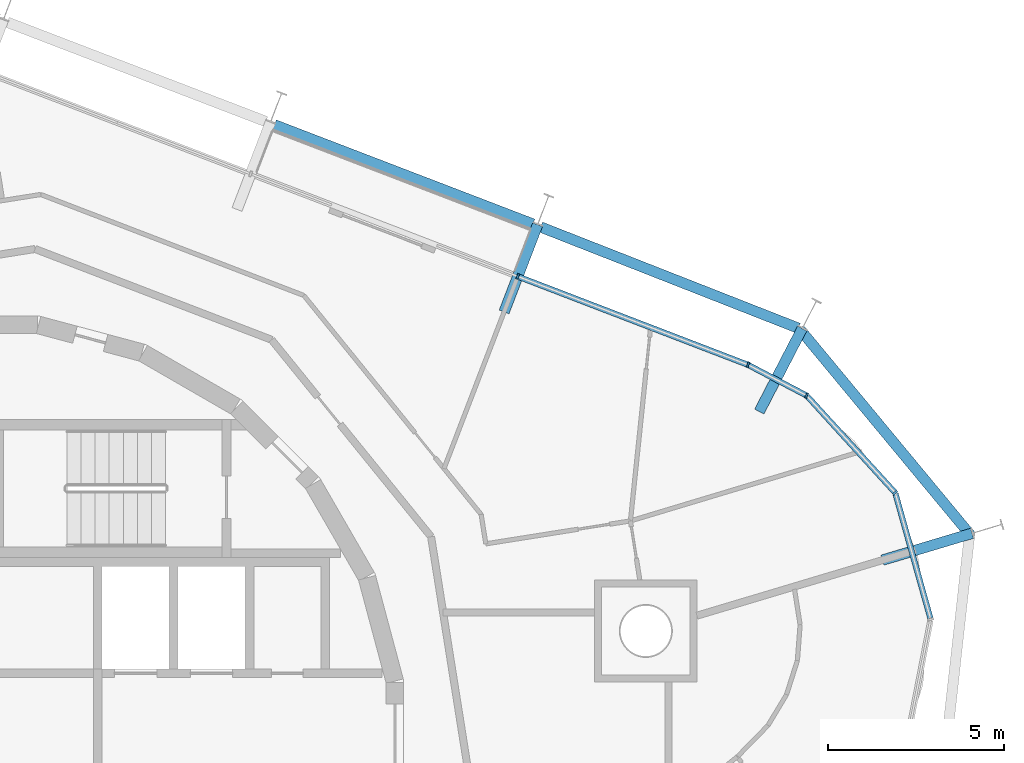
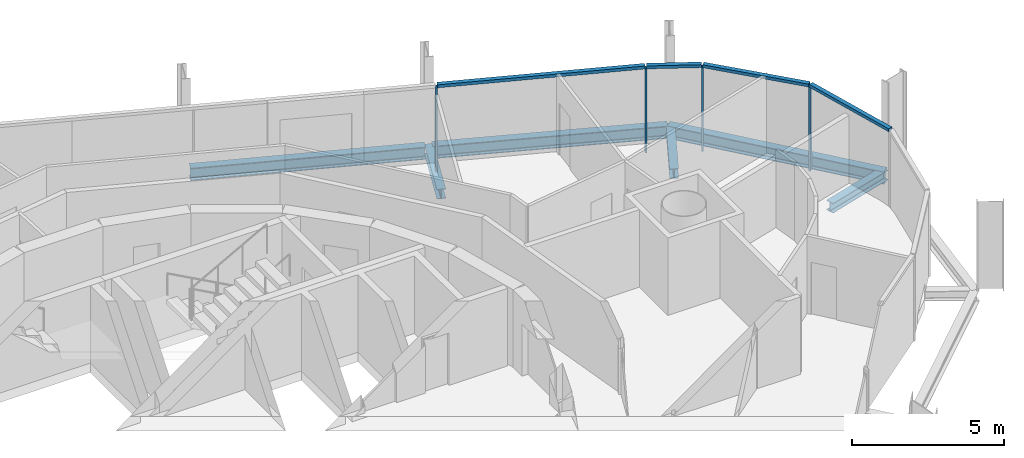
# One storey, part 9 of 18: 8 members, 6 beams, 2 elements without a shape of their own.
"""IFC4 building model written with IfcOpenShell, lengths in metres."""

from ifc_helpers import new_model, si_unit, direction, frame, origin, origin_2d, place, context, subcontext, project, spatial, rectangle, i_section, extrude, material, layer, layer_set, material_profile, profile_set, type_object, element, aggregate, save


model = new_model("IFC4")

# Units and contexts
model_context = context("Model", 3, precision=1e-05, world=origin(), true_north=direction((0.0, 1.0)))
body_context = subcontext(model_context, "Body", "Model", "MODEL_VIEW")
ifc_project = project(units=[si_unit("LENGTHUNIT", "METRE"), si_unit("AREAUNIT", "SQUARE_METRE"), si_unit("VOLUMEUNIT", "CUBIC_METRE"), si_unit("PLANEANGLEUNIT", "RADIAN"), si_unit("MASSUNIT", "GRAM", prefix="KILO")], contexts=[model_context])

# Site, building, storey
site_placement = place(None, origin())
site = spatial("IfcSite", under=ifc_project, at=site_placement, CompositionType="ELEMENT")
building_placement = place(site_placement, origin())
building = spatial("IfcBuilding", under=site, at=building_placement, Name="Spindle Arch Residences", CompositionType="ELEMENT")
storey_placement = place(building_placement, frame((0.0, 0.0, 273.89990234375)))
storey = spatial("IfcBuildingStorey", under=building, at=storey_placement, Name="L70", CompositionType="ELEMENT", Elevation=273.89990234375)

# Curtain wall, members
ifc_material_1 = material(Name="Aluminium bronze unitised frame with tinted glass", Category="aluminium")
ifc_layer_1 = layer(ifc_material_1, 0.159912109375)
ifc_layer_set_1 = layer_set([ifc_layer_1], Name="CW-D corner wall on the fillet arcs")
curtain_wall_type_1 = type_object("IfcCurtainWallType", Name="CW-D corner wall on the fillet arcs", PredefinedType="NOTDEFINED", material=ifc_layer_set_1)
curtain_wall_1_placement = place(storey_placement, origin())
curtain_wall_1 = element("IfcCurtainWall", 1, at=curtain_wall_1_placement, inside=storey, type_object=curtain_wall_type_1, Name="CW-D L70 run 1", PredefinedType="NOTDEFINED")
ifc_material_2 = material(Name="Aluminium bronze anodised mullion", Category="aluminium")
ifc_material_profile_1 = material_profile(ifc_material_2, rectangle(XDim=0.159912109375, YDim=0.06005859375, at=origin_2d()), Name="MU 60x160")
ifc_profile_set_1 = profile_set([ifc_material_profile_1], Name="Aluminium bronze anodised mullion")
member_type_1 = type_object("IfcMemberType", Name="Bronze mullion 60x160", PredefinedType="MULLION", material=ifc_profile_set_1)
member_1_placement = place(storey_placement, frame((25.826171875, 6.888427734375, -0.3798828125), z_axis=(0.0, 0.0, 1.0), x_axis=(-0.73923942464, -0.673442702134, 0.0)))
member_1 = element("IfcMember", 2, at=member_1_placement, type_object=member_type_1, Name="CW-D mullion 04", PredefinedType="MULLION", context=body_context, shape_type="SweptSolid", body=[
    extrude(rectangle(XDim=0.159912109375, YDim=0.06005859375, at=origin_2d()), origin(), (0.0, 0.0, 1.0), 3.3798828125),
])
member_2_placement = place(storey_placement, frame((23.316650390625, 9.643310546875, -0.3798828125), z_axis=(0.0, 0.0, 1.0), x_axis=(-0.464326860783, -0.885663912754, 0.0)))
member_2 = element("IfcMember", 3, at=member_2_placement, type_object=member_type_1, Name="CW-D mullion 05", PredefinedType="MULLION", context=body_context, shape_type="SweptSolid", body=[
    extrude(rectangle(XDim=0.159912109375, YDim=0.06005859375, at=origin_2d()), origin(), (0.0, 0.0, 1.0), 3.3798828125),
])
member_3_placement = place(storey_placement, frame((21.655029296875, 10.514404296875, -0.3798828125), z_axis=(0.0, 0.0, 1.0), x_axis=(-0.358367949545, -0.933580426497, 0.0)))
member_3 = element("IfcMember", 4, at=member_3_placement, type_object=member_type_1, Name="CW-D mullion 06", PredefinedType="MULLION", context=body_context, shape_type="SweptSolid", body=[
    extrude(rectangle(XDim=0.159912109375, YDim=0.06005859375, at=origin_2d()), origin(), (0.0, 0.0, 1.0), 3.3798828125),
])

# Curtain wall, member
ifc_material_3 = material(Name="Aluminium bronze unitised frame with tinted glass", Category="aluminium")
ifc_layer_2 = layer(ifc_material_3, 0.159912109375)
ifc_layer_set_2 = layer_set([ifc_layer_2], Name="CW-C typical residential unitised wall")
curtain_wall_type_2 = type_object("IfcCurtainWallType", Name="CW-C typical residential unitised wall", PredefinedType="NOTDEFINED", material=ifc_layer_set_2)
curtain_wall_2_placement = place(storey_placement, origin())
curtain_wall_2 = element("IfcCurtainWall", 5, at=curtain_wall_2_placement, inside=storey, type_object=curtain_wall_type_2, Name="CW-C L70 run 2", PredefinedType="NOTDEFINED")
member_4_placement = place(storey_placement, frame((15.12939453125, 13.01953125, -0.3798828125), z_axis=(0.0, 0.0, 1.0), x_axis=(-0.358367949545, -0.933580426497, 0.0)))
member_4 = element("IfcMember", 6, at=member_4_placement, type_object=member_type_1, Name="CW-C mullion 05", PredefinedType="MULLION", context=body_context, shape_type="SweptSolid", body=[
    extrude(rectangle(XDim=0.159912109375, YDim=0.06005859375, at=origin_2d()), origin(), (0.0, 0.0, 1.0), 3.3798828125),
])
aggregate(curtain_wall_2, [member_4])

# Member
ifc_material_4 = material(Name="Aluminium bronze anodised transom", Category="aluminium")
ifc_material_profile_2 = material_profile(ifc_material_4, rectangle(XDim=0.159912109375, YDim=0.1201171875, at=origin_2d()), Name="TR 120x160")
ifc_profile_set_2 = profile_set([ifc_material_profile_2], Name="Aluminium bronze anodised transom")
member_type_2 = type_object("IfcMemberType", Name="Bronze transom 120x160", PredefinedType="USERDEFINED", material=ifc_profile_set_2)
member_5_placement = place(storey_placement, frame((26.824462890625, 3.3291015625, 3.06005859375), z_axis=(-0.26999542292, 0.962861605633, 0.0), x_axis=(-0.962861605633, -0.26999542292, 0.0)))
member_5 = element("IfcMember", 7, at=member_5_placement, type_object=member_type_2, Name="CW-D transom 03", ObjectType="TRANSOM", PredefinedType="USERDEFINED", context=body_context, shape_type="SweptSolid", body=[
    extrude(rectangle(XDim=0.159912109375, YDim=0.1201171875, at=origin_2d()), origin(), (0.0, 0.0, 1.0), 3.666748046875),
])

member_6_placement = place(storey_placement, frame((25.80615234375, 6.91064453125, 3.06005859375), z_axis=(-0.673451190177, 0.739231691995, 0.0), x_axis=(-0.739231691995, -0.673451190177, 0.0)))
member_6 = element("IfcMember", 8, at=member_6_placement, type_object=member_type_2, Name="CW-D transom 04", ObjectType="TRANSOM", PredefinedType="USERDEFINED", context=body_context, shape_type="SweptSolid", body=[
    extrude(rectangle(XDim=0.159912109375, YDim=0.1201171875, at=origin_2d()), origin(), (0.0, 0.0, 1.0), 3.6669921875),
])

member_7_placement = place(storey_placement, frame((23.2900390625, 9.6572265625, 3.06005859375), z_axis=(-0.885657808089, 0.464338504726, 0.0), x_axis=(-0.464338504726, -0.885657808089, 0.0)))
member_7 = element("IfcMember", 9, at=member_7_placement, type_object=member_type_2, Name="CW-D transom 05", ObjectType="TRANSOM", PredefinedType="USERDEFINED", context=body_context, shape_type="SweptSolid", body=[
    extrude(rectangle(XDim=0.159912109375, YDim=0.1201171875, at=origin_2d()), origin(), (0.0, 0.0, 1.0), 1.816162109375),
])

member_8_placement = place(storey_placement, frame((21.626953125, 10.525390625, 3.06005859375), z_axis=(-0.933580580487, 0.358367548387, 0.0), x_axis=(-0.358367548387, -0.933580580487, 0.0)))
member_8 = element("IfcMember", 10, at=member_8_placement, type_object=member_type_2, Name="CW-D transom 06", ObjectType="TRANSOM", PredefinedType="USERDEFINED", context=body_context, shape_type="SweptSolid", body=[
    extrude(rectangle(XDim=0.159912109375, YDim=0.1201171875, at=origin_2d()), origin(), (0.0, 0.0, 1.0), 6.9296875),
])

aggregate(curtain_wall_1, [member_5, member_1, member_6, member_2, member_7, member_3, member_8])

# Beams
ifc_material_5 = material(Name="Steel S460ML, intumescent coating R 120", Category="steel")
ifc_material_profile_3 = material_profile(ifc_material_5, i_section(OverallWidth=0.300048828125, OverallDepth=0.5, WebThickness=0.014404296875, FlangeThickness=0.028076171875, FilletRadius=0.027099609375, at=origin_2d()), Name="HEB 500")
ifc_profile_set_3 = profile_set([ifc_material_profile_3], Name="Steel S460ML, intumescent coating R 120")
beam_type_1 = type_object("IfcBeamType", Name="Exoskeleton edge beam HEB 500", PredefinedType="BEAM", material=ifc_profile_set_3)
beam_1_placement = place(storey_placement, frame((27.982666015625, 5.661376953125, -0.6298828125), z_axis=(-0.638234616569, 0.769841915079, 0.0), x_axis=(-0.769841915079, -0.638234616569, 0.0)))
element("IfcBeam", 11, at=beam_1_placement, inside=storey, type_object=beam_type_1, Name="Exoskeleton edge beam 4", PredefinedType="BEAM", context=body_context, shape_type="SweptSolid", body=[
    extrude(i_section(OverallWidth=0.300048828125, OverallDepth=0.5, WebThickness=0.014404296875, FlangeThickness=0.028076171875, FilletRadius=0.027099609375, at=origin_2d()), origin(), (0.0, 0.0, 1.0), 7.6318359375),
])
beam_2_placement = place(storey_placement, frame((23.080810546875, 11.552490234375, -0.6298828125), z_axis=(-0.930820691929, 0.365476181818, 0.0), x_axis=(-0.365476181818, -0.930820691929, 0.0)))
element("IfcBeam", 12, at=beam_2_placement, inside=storey, type_object=beam_type_1, Name="Exoskeleton edge beam 5", PredefinedType="BEAM", context=body_context, shape_type="SweptSolid", body=[
    extrude(i_section(OverallWidth=0.300048828125, OverallDepth=0.5, WebThickness=0.014404296875, FlangeThickness=0.028076171875, FilletRadius=0.027099609375, at=origin_2d()), origin(), (0.0, 0.0, 1.0), 7.845703125),
])
beam_3_placement = place(storey_placement, frame((15.56005859375, 14.50390625, -0.6298828125), z_axis=(-0.933584338194, 0.358357759061, 0.0), x_axis=(-0.358357759061, -0.933584338194, 0.0)))
element("IfcBeam", 13, at=beam_3_placement, inside=storey, type_object=beam_type_1, Name="Exoskeleton edge beam 6", PredefinedType="BEAM", context=body_context, shape_type="SweptSolid", body=[
    extrude(i_section(OverallWidth=0.300048828125, OverallDepth=0.5, WebThickness=0.014404296875, FlangeThickness=0.028076171875, FilletRadius=0.027099609375, at=origin_2d()), origin(), (0.0, 0.0, 1.0), 7.84765625),
])
ifc_material_6 = material(Name="Steel S460ML, intumescent coating R 120", Category="steel")
ifc_material_profile_4 = material_profile(ifc_material_6, i_section(OverallWidth=0.300048828125, OverallDepth=0.389892578125, WebThickness=0.010986328125, FlangeThickness=0.01904296875, FilletRadius=0.027099609375, at=origin_2d()), Name="HEA 400")
ifc_profile_set_4 = profile_set([ifc_material_profile_4], Name="Steel S460ML, intumescent coating R 120")
beam_type_2 = type_object("IfcBeamType", Name="Floor outrigger HEA 400", PredefinedType="BEAM", material=ifc_profile_set_4)
for number, where, z_axis, x_axis, name in (
    (14, (28.00390625, 5.738525390625, -0.574951171875), (-0.958013730909, -0.286722324542, 0.0), (0.286722324542, -0.958013730909, 0.0), "Floor outrigger 4"),
    (15, (23.19140625, 11.543212890625, -0.574951171875), (-0.459260001196, -0.888301891983, 0.0), (0.888301891983, -0.459260001196, 0.0), "Floor outrigger 5"),
    (16, (15.692138671875, 14.485107421875, -0.574951171875), (-0.358392499624, -0.933571002234, 0.0), (0.933571002234, -0.358392499624, 0.0), "Floor outrigger 6"),
):
    element("IfcBeam", number, at=place(storey_placement, frame(where, z_axis=z_axis, x_axis=x_axis)), inside=storey, type_object=beam_type_2, Name=name, PredefinedType="BEAM", context=body_context, shape_type="SweptSolid", body=[
        extrude(i_section(OverallWidth=0.300048828125, OverallDepth=0.389892578125, WebThickness=0.010986328125, FlangeThickness=0.01904296875, FilletRadius=0.027099609375, at=origin_2d()), origin(), (0.0, 0.0, 1.0), 2.64990234375),
    ])

save(model, "model.ifc")
